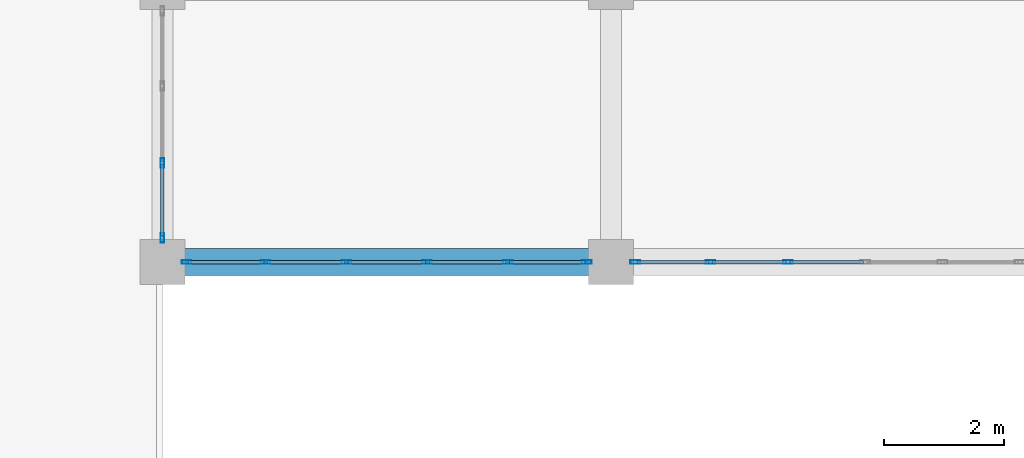
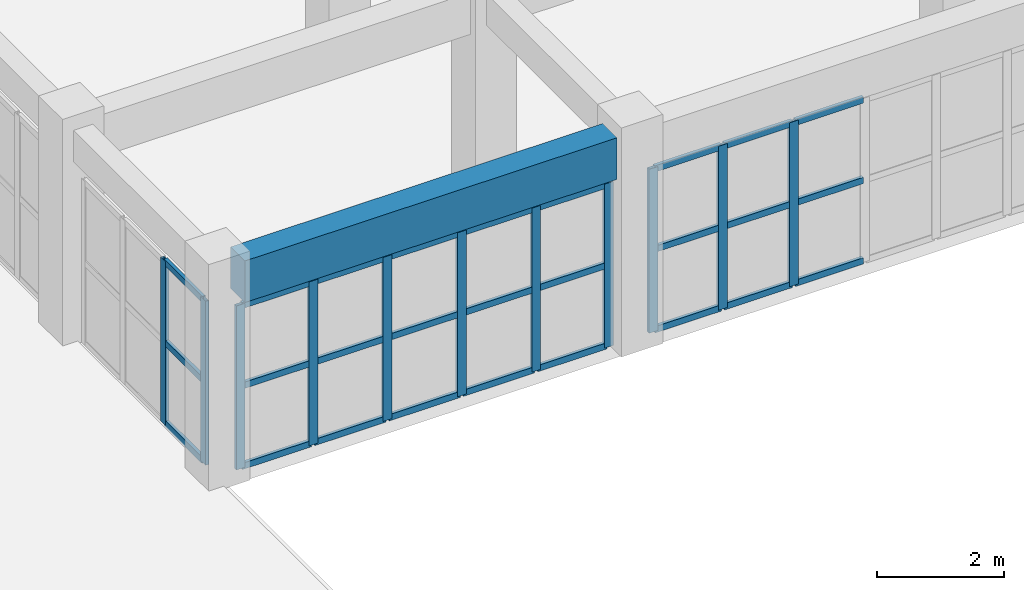
# One storey, part 10 of 90: 38 members, 1 beam, 3 elements without a shape of their own.
"""IFC4 building model written with IfcOpenShell, lengths in metres."""

from ifc_helpers import new_model, si_unit, direction, frame, origin, origin_2d, place, context, subcontext, project, spatial, rectangle, hollow_rectangle, extrude, material, layer, layer_set, material_profile, profile_set, type_object, element, aggregate, save


model = new_model("IFC4")

# Units and contexts
model_context = context("Model", 3, precision=1e-05, world=origin(), true_north=direction((0.0, 1.0)))
body_context = subcontext(model_context, "Body", "Model", "MODEL_VIEW")
ifc_project = project(units=[si_unit("LENGTHUNIT", "METRE"), si_unit("AREAUNIT", "SQUARE_METRE"), si_unit("VOLUMEUNIT", "CUBIC_METRE"), si_unit("PLANEANGLEUNIT", "RADIAN"), si_unit("MASSUNIT", "GRAM", prefix="KILO")], contexts=[model_context])

# Site, building, storey
site_placement = place(None, origin())
site = spatial("IfcSite", under=ifc_project, at=site_placement, CompositionType="ELEMENT")
building_placement = place(site_placement, origin())
building = spatial("IfcBuilding", under=site, at=building_placement, Name="Muzn Square Opera House", CompositionType="ELEMENT")
storey_placement = place(building_placement, frame((0.0, 0.0, 9.800048828125)))
storey = spatial("IfcBuildingStorey", under=building, at=storey_placement, Name="L02", CompositionType="ELEMENT", Elevation=9.800048828125)

# Curtain wall, members
ifc_material_1 = material(Name="Low-E laminated acoustic double glazing", Category="glass")
ifc_layer_1 = layer(ifc_material_1, 0.159912109375, Name="Low-E laminated acoustic double glazing", Category="glass")
ifc_layer_set_1 = layer_set([ifc_layer_1], Name="Low-E laminated acoustic double glazing")
curtain_wall_type_1 = type_object("IfcCurtainWallType", Name="Glazed Curtain Wall WestCloisterN 6750x3150", PredefinedType="USERDEFINED", material=ifc_layer_set_1)
curtain_wall_1_placement = place(storey_placement, origin())
curtain_wall_1 = element("IfcCurtainWall", 1, at=curtain_wall_1_placement, inside=storey, type_object=curtain_wall_type_1, Name="Glazed Curtain Wall CW-L02-094", ObjectType="GLAZED CURTAIN WALL", PredefinedType="USERDEFINED")
ifc_material_2 = material(Name="Anodised bronze aluminium 6063-T6", Category="metal")
ifc_material_profile_1 = material_profile(ifc_material_2, hollow_rectangle(XDim=0.06005859375, YDim=0.159912109375, WallThickness=0.00390625, at=origin_2d()), Name="ALU 160x60x4", Category="metal")
ifc_profile_set_1 = profile_set([ifc_material_profile_1], Name="Anodised bronze aluminium 6063-T6")
member_type_1 = type_object("IfcMemberType", Name="Curtain Wall Mullion 160x60", PredefinedType="MULLION", material=ifc_profile_set_1)
member_1_placement = place(storey_placement, frame((19.405029296875, 54.199951171875, 0.0), z_axis=(0.0, 0.0, 1.0), x_axis=(0.0, 1.0, 0.0)))
member_1 = element("IfcMember", 2, at=member_1_placement, type_object=member_type_1, Name="CW-WCN-67x31 mullion 1", PredefinedType="MULLION", context=body_context, shape_type="SweptSolid", body=[
    extrude(hollow_rectangle(XDim=0.06005859375, YDim=0.159912109375, WallThickness=0.00390625, at=origin_2d()), origin(), (0.0, 0.0, 1.0), 3.14990234375),
])
member_2_placement = place(storey_placement, frame((20.72509765625, 54.199951171875, 0.0), z_axis=(0.0, 0.0, 1.0), x_axis=(0.0, 1.0, 0.0)))
member_2 = element("IfcMember", 3, at=member_2_placement, type_object=member_type_1, Name="CW-WCN-67x31 mullion 2", PredefinedType="MULLION", context=body_context, shape_type="SweptSolid", body=[
    extrude(hollow_rectangle(XDim=0.06005859375, YDim=0.159912109375, WallThickness=0.00390625, at=origin_2d()), origin(), (0.0, 0.0, 1.0), 3.14990234375),
])
member_3_placement = place(storey_placement, frame((22.074951171875, 54.199951171875, 0.0), z_axis=(0.0, 0.0, 1.0), x_axis=(0.0, 1.0, 0.0)))
member_3 = element("IfcMember", 4, at=member_3_placement, type_object=member_type_1, Name="CW-WCN-67x31 mullion 3", PredefinedType="MULLION", context=body_context, shape_type="SweptSolid", body=[
    extrude(hollow_rectangle(XDim=0.06005859375, YDim=0.159912109375, WallThickness=0.00390625, at=origin_2d()), origin(), (0.0, 0.0, 1.0), 3.14990234375),
])
member_4_placement = place(storey_placement, frame((23.425048828125, 54.199951171875, 0.0), z_axis=(0.0, 0.0, 1.0), x_axis=(0.0, 1.0, 0.0)))
member_4 = element("IfcMember", 5, at=member_4_placement, type_object=member_type_1, Name="CW-WCN-67x31 mullion 4", PredefinedType="MULLION", context=body_context, shape_type="SweptSolid", body=[
    extrude(hollow_rectangle(XDim=0.06005859375, YDim=0.159912109375, WallThickness=0.00390625, at=origin_2d()), origin(), (0.0, 0.0, 1.0), 3.14990234375),
])
member_5_placement = place(storey_placement, frame((24.77490234375, 54.199951171875, 0.0), z_axis=(0.0, 0.0, 1.0), x_axis=(0.0, 1.0, 0.0)))
member_5 = element("IfcMember", 6, at=member_5_placement, type_object=member_type_1, Name="CW-WCN-67x31 mullion 5", PredefinedType="MULLION", context=body_context, shape_type="SweptSolid", body=[
    extrude(hollow_rectangle(XDim=0.06005859375, YDim=0.159912109375, WallThickness=0.00390625, at=origin_2d()), origin(), (0.0, 0.0, 1.0), 3.14990234375),
])
member_6_placement = place(storey_placement, frame((26.094970703125, 54.199951171875, 0.0), z_axis=(0.0, 0.0, 1.0), x_axis=(0.0, 1.0, 0.0)))
member_6 = element("IfcMember", 7, at=member_6_placement, type_object=member_type_1, Name="CW-WCN-67x31 mullion 6", PredefinedType="MULLION", context=body_context, shape_type="SweptSolid", body=[
    extrude(hollow_rectangle(XDim=0.06005859375, YDim=0.159912109375, WallThickness=0.00390625, at=origin_2d()), origin(), (0.0, 0.0, 1.0), 3.14990234375),
])

ifc_layer_2 = layer(ifc_material_1, 0.159912109375, Name="Low-E laminated acoustic double glazing", Category="glass")
ifc_layer_set_2 = layer_set([ifc_layer_2], Name="Low-E laminated acoustic double glazing")
curtain_wall_type_2 = type_object("IfcCurtainWallType", Name="Glazed Curtain Wall WestCloisterN 7750x3150", PredefinedType="USERDEFINED", material=ifc_layer_set_2)
curtain_wall_2_placement = place(storey_placement, origin())
curtain_wall_2 = element("IfcCurtainWall", 8, at=curtain_wall_2_placement, inside=storey, type_object=curtain_wall_type_2, Name="Glazed Curtain Wall CW-L02-096", ObjectType="GLAZED CURTAIN WALL", PredefinedType="USERDEFINED")
member_7_placement = place(storey_placement, frame((26.905029296875, 54.199951171875, 0.0), z_axis=(0.0, 0.0, 1.0), x_axis=(0.0, 1.0, 0.0)))
member_7 = element("IfcMember", 9, at=member_7_placement, type_object=member_type_1, Name="CW-WCN-77x31 mullion 1", PredefinedType="MULLION", context=body_context, shape_type="SweptSolid", body=[
    extrude(hollow_rectangle(XDim=0.06005859375, YDim=0.159912109375, WallThickness=0.00390625, at=origin_2d()), origin(), (0.0, 0.0, 1.0), 3.14990234375),
])
member_8_placement = place(storey_placement, frame((28.166748046875, 54.199951171875, 0.0), z_axis=(0.0, 0.0, 1.0), x_axis=(0.0, 1.0, 0.0)))
member_8 = element("IfcMember", 10, at=member_8_placement, type_object=member_type_1, Name="CW-WCN-77x31 mullion 2", PredefinedType="MULLION", context=body_context, shape_type="SweptSolid", body=[
    extrude(hollow_rectangle(XDim=0.06005859375, YDim=0.159912109375, WallThickness=0.00390625, at=origin_2d()), origin(), (0.0, 0.0, 1.0), 3.14990234375),
])
member_9_placement = place(storey_placement, frame((29.458251953125, 54.199951171875, 0.0), z_axis=(0.0, 0.0, 1.0), x_axis=(0.0, 1.0, 0.0)))
member_9 = element("IfcMember", 11, at=member_9_placement, type_object=member_type_1, Name="CW-WCN-77x31 mullion 3", PredefinedType="MULLION", context=body_context, shape_type="SweptSolid", body=[
    extrude(hollow_rectangle(XDim=0.06005859375, YDim=0.159912109375, WallThickness=0.00390625, at=origin_2d()), origin(), (0.0, 0.0, 1.0), 3.14990234375),
])

ifc_layer_3 = layer(ifc_material_1, 0.159912109375, Name="Low-E laminated acoustic double glazing", Category="glass")
ifc_layer_set_3 = layer_set([ifc_layer_3], Name="Low-E laminated acoustic double glazing")
curtain_wall_type_3 = type_object("IfcCurtainWallType", Name="Glazed Curtain Wall WestCourt 3850x3150", PredefinedType="USERDEFINED", material=ifc_layer_set_3)
curtain_wall_3_placement = place(storey_placement, origin())
curtain_wall_3 = element("IfcCurtainWall", 12, at=curtain_wall_3_placement, inside=storey, type_object=curtain_wall_type_3, Name="Glazed Curtain Wall CW-L02-148", ObjectType="GLAZED CURTAIN WALL", PredefinedType="USERDEFINED")
member_10_placement = place(storey_placement, frame((19.0, 54.60498046875, 0.0), z_axis=(0.0, 0.0, 1.0), x_axis=(-1.0, 0.0, 0.0)))
member_10 = element("IfcMember", 13, at=member_10_placement, type_object=member_type_1, Name="CW-WCT-38x31 mullion 1", PredefinedType="MULLION", context=body_context, shape_type="SweptSolid", body=[
    extrude(hollow_rectangle(XDim=0.06005859375, YDim=0.159912109375, WallThickness=0.00390625, at=origin_2d()), origin(), (0.0, 0.0, 1.0), 3.14990234375),
])
member_11_placement = place(storey_placement, frame((19.0, 55.8583984375, 0.0), z_axis=(0.0, 0.0, 1.0), x_axis=(-1.0, 0.0, 0.0)))
member_11 = element("IfcMember", 14, at=member_11_placement, type_object=member_type_1, Name="CW-WCT-38x31 mullion 2", PredefinedType="MULLION", context=body_context, shape_type="SweptSolid", body=[
    extrude(hollow_rectangle(XDim=0.06005859375, YDim=0.159912109375, WallThickness=0.00390625, at=origin_2d()), origin(), (0.0, 0.0, 1.0), 3.14990234375),
])

# Member
ifc_material_profile_2 = material_profile(ifc_material_2, hollow_rectangle(XDim=0.06005859375, YDim=0.1201171875, WallThickness=0.00390625, at=origin_2d()), Name="ALU 120x60x4", Category="metal")
ifc_profile_set_2 = profile_set([ifc_material_profile_2], Name="Anodised bronze aluminium 6063-T6")
member_type_2 = type_object("IfcMemberType", Name="Curtain Wall Transom 120x60", PredefinedType="USERDEFINED", material=ifc_profile_set_2)
member_12_placement = place(storey_placement, frame((19.43505859375, 54.199951171875, 0.030029296875), z_axis=(1.0, 0.0, 0.0), x_axis=(0.0, 1.0, 0.0)))
member_12 = element("IfcMember", 15, at=member_12_placement, type_object=member_type_2, Name="CW-WCN-67x31 transom 1.1", ObjectType="TRANSOM", PredefinedType="USERDEFINED", context=body_context, shape_type="SweptSolid", body=[
    extrude(hollow_rectangle(XDim=0.06005859375, YDim=0.1201171875, WallThickness=0.00390625, at=origin_2d()), origin(), (0.0, 0.0, 1.0), 1.260009765625),
])

member_13_placement = place(storey_placement, frame((19.43505859375, 54.199951171875, 1.574951171875), z_axis=(1.0, 0.0, 0.0), x_axis=(0.0, 1.0, 0.0)))
member_13 = element("IfcMember", 16, at=member_13_placement, type_object=member_type_2, Name="CW-WCN-67x31 transom 1.2", ObjectType="TRANSOM", PredefinedType="USERDEFINED", context=body_context, shape_type="SweptSolid", body=[
    extrude(hollow_rectangle(XDim=0.06005859375, YDim=0.1201171875, WallThickness=0.00390625, at=origin_2d()), origin(), (0.0, 0.0, 1.0), 1.260009765625),
])

member_14_placement = place(storey_placement, frame((19.43505859375, 54.199951171875, 3.119873046875), z_axis=(1.0, 0.0, 0.0), x_axis=(0.0, 1.0, 0.0)))
member_14 = element("IfcMember", 17, at=member_14_placement, type_object=member_type_2, Name="CW-WCN-67x31 transom 1.3", ObjectType="TRANSOM", PredefinedType="USERDEFINED", context=body_context, shape_type="SweptSolid", body=[
    extrude(hollow_rectangle(XDim=0.06005859375, YDim=0.1201171875, WallThickness=0.00390625, at=origin_2d()), origin(), (0.0, 0.0, 1.0), 1.260009765625),
])

member_15_placement = place(storey_placement, frame((20.7548828125, 54.199951171875, 0.030029296875), z_axis=(1.0, 0.0, 0.0), x_axis=(0.0, 1.0, 0.0)))
member_15 = element("IfcMember", 18, at=member_15_placement, type_object=member_type_2, Name="CW-WCN-67x31 transom 2.1", ObjectType="TRANSOM", PredefinedType="USERDEFINED", context=body_context, shape_type="SweptSolid", body=[
    extrude(hollow_rectangle(XDim=0.06005859375, YDim=0.1201171875, WallThickness=0.00390625, at=origin_2d()), origin(), (0.0, 0.0, 1.0), 1.2900390625),
])

member_16_placement = place(storey_placement, frame((20.7548828125, 54.199951171875, 1.574951171875), z_axis=(1.0, 0.0, 0.0), x_axis=(0.0, 1.0, 0.0)))
member_16 = element("IfcMember", 19, at=member_16_placement, type_object=member_type_2, Name="CW-WCN-67x31 transom 2.2", ObjectType="TRANSOM", PredefinedType="USERDEFINED", context=body_context, shape_type="SweptSolid", body=[
    extrude(hollow_rectangle(XDim=0.06005859375, YDim=0.1201171875, WallThickness=0.00390625, at=origin_2d()), origin(), (0.0, 0.0, 1.0), 1.2900390625),
])

member_17_placement = place(storey_placement, frame((20.7548828125, 54.199951171875, 3.119873046875), z_axis=(1.0, 0.0, 0.0), x_axis=(0.0, 1.0, 0.0)))
member_17 = element("IfcMember", 20, at=member_17_placement, type_object=member_type_2, Name="CW-WCN-67x31 transom 2.3", ObjectType="TRANSOM", PredefinedType="USERDEFINED", context=body_context, shape_type="SweptSolid", body=[
    extrude(hollow_rectangle(XDim=0.06005859375, YDim=0.1201171875, WallThickness=0.00390625, at=origin_2d()), origin(), (0.0, 0.0, 1.0), 1.2900390625),
])

member_18_placement = place(storey_placement, frame((22.10498046875, 54.199951171875, 0.030029296875), z_axis=(1.0, 0.0, 0.0), x_axis=(0.0, 1.0, 0.0)))
member_18 = element("IfcMember", 21, at=member_18_placement, type_object=member_type_2, Name="CW-WCN-67x31 transom 3.1", ObjectType="TRANSOM", PredefinedType="USERDEFINED", context=body_context, shape_type="SweptSolid", body=[
    extrude(hollow_rectangle(XDim=0.06005859375, YDim=0.1201171875, WallThickness=0.00390625, at=origin_2d()), origin(), (0.0, 0.0, 1.0), 1.2900390625),
])

member_19_placement = place(storey_placement, frame((22.10498046875, 54.199951171875, 1.574951171875), z_axis=(1.0, 0.0, 0.0), x_axis=(0.0, 1.0, 0.0)))
member_19 = element("IfcMember", 22, at=member_19_placement, type_object=member_type_2, Name="CW-WCN-67x31 transom 3.2", ObjectType="TRANSOM", PredefinedType="USERDEFINED", context=body_context, shape_type="SweptSolid", body=[
    extrude(hollow_rectangle(XDim=0.06005859375, YDim=0.1201171875, WallThickness=0.00390625, at=origin_2d()), origin(), (0.0, 0.0, 1.0), 1.2900390625),
])

member_20_placement = place(storey_placement, frame((22.10498046875, 54.199951171875, 3.119873046875), z_axis=(1.0, 0.0, 0.0), x_axis=(0.0, 1.0, 0.0)))
member_20 = element("IfcMember", 23, at=member_20_placement, type_object=member_type_2, Name="CW-WCN-67x31 transom 3.3", ObjectType="TRANSOM", PredefinedType="USERDEFINED", context=body_context, shape_type="SweptSolid", body=[
    extrude(hollow_rectangle(XDim=0.06005859375, YDim=0.1201171875, WallThickness=0.00390625, at=origin_2d()), origin(), (0.0, 0.0, 1.0), 1.2900390625),
])

member_21_placement = place(storey_placement, frame((23.455078125, 54.199951171875, 0.030029296875), z_axis=(1.0, 0.0, 0.0), x_axis=(0.0, 1.0, 0.0)))
member_21 = element("IfcMember", 24, at=member_21_placement, type_object=member_type_2, Name="CW-WCN-67x31 transom 4.1", ObjectType="TRANSOM", PredefinedType="USERDEFINED", context=body_context, shape_type="SweptSolid", body=[
    extrude(hollow_rectangle(XDim=0.06005859375, YDim=0.1201171875, WallThickness=0.00390625, at=origin_2d()), origin(), (0.0, 0.0, 1.0), 1.2900390625),
])

member_22_placement = place(storey_placement, frame((23.455078125, 54.199951171875, 1.574951171875), z_axis=(1.0, 0.0, 0.0), x_axis=(0.0, 1.0, 0.0)))
member_22 = element("IfcMember", 25, at=member_22_placement, type_object=member_type_2, Name="CW-WCN-67x31 transom 4.2", ObjectType="TRANSOM", PredefinedType="USERDEFINED", context=body_context, shape_type="SweptSolid", body=[
    extrude(hollow_rectangle(XDim=0.06005859375, YDim=0.1201171875, WallThickness=0.00390625, at=origin_2d()), origin(), (0.0, 0.0, 1.0), 1.2900390625),
])

member_23_placement = place(storey_placement, frame((23.455078125, 54.199951171875, 3.119873046875), z_axis=(1.0, 0.0, 0.0), x_axis=(0.0, 1.0, 0.0)))
member_23 = element("IfcMember", 26, at=member_23_placement, type_object=member_type_2, Name="CW-WCN-67x31 transom 4.3", ObjectType="TRANSOM", PredefinedType="USERDEFINED", context=body_context, shape_type="SweptSolid", body=[
    extrude(hollow_rectangle(XDim=0.06005859375, YDim=0.1201171875, WallThickness=0.00390625, at=origin_2d()), origin(), (0.0, 0.0, 1.0), 1.2900390625),
])

member_24_placement = place(storey_placement, frame((24.804931640625, 54.199951171875, 0.030029296875), z_axis=(1.0, 0.0, 0.0), x_axis=(0.0, 1.0, 0.0)))
member_24 = element("IfcMember", 27, at=member_24_placement, type_object=member_type_2, Name="CW-WCN-67x31 transom 5.1", ObjectType="TRANSOM", PredefinedType="USERDEFINED", context=body_context, shape_type="SweptSolid", body=[
    extrude(hollow_rectangle(XDim=0.06005859375, YDim=0.1201171875, WallThickness=0.00390625, at=origin_2d()), origin(), (0.0, 0.0, 1.0), 1.260009765625),
])

member_25_placement = place(storey_placement, frame((24.804931640625, 54.199951171875, 1.574951171875), z_axis=(1.0, 0.0, 0.0), x_axis=(0.0, 1.0, 0.0)))
member_25 = element("IfcMember", 28, at=member_25_placement, type_object=member_type_2, Name="CW-WCN-67x31 transom 5.2", ObjectType="TRANSOM", PredefinedType="USERDEFINED", context=body_context, shape_type="SweptSolid", body=[
    extrude(hollow_rectangle(XDim=0.06005859375, YDim=0.1201171875, WallThickness=0.00390625, at=origin_2d()), origin(), (0.0, 0.0, 1.0), 1.260009765625),
])

member_26_placement = place(storey_placement, frame((24.804931640625, 54.199951171875, 3.119873046875), z_axis=(1.0, 0.0, 0.0), x_axis=(0.0, 1.0, 0.0)))
member_26 = element("IfcMember", 29, at=member_26_placement, type_object=member_type_2, Name="CW-WCN-67x31 transom 5.3", ObjectType="TRANSOM", PredefinedType="USERDEFINED", context=body_context, shape_type="SweptSolid", body=[
    extrude(hollow_rectangle(XDim=0.06005859375, YDim=0.1201171875, WallThickness=0.00390625, at=origin_2d()), origin(), (0.0, 0.0, 1.0), 1.260009765625),
])

aggregate(curtain_wall_1, [member_1, member_2, member_3, member_4, member_5, member_6, member_12, member_13, member_14, member_15, member_16, member_17, member_18, member_19, member_20, member_21, member_22, member_23, member_24, member_25, member_26])

member_27_placement = place(storey_placement, frame((26.93505859375, 54.199951171875, 0.030029296875), z_axis=(1.0, 0.0, 0.0), x_axis=(0.0, 1.0, 0.0)))
member_27 = element("IfcMember", 30, at=member_27_placement, type_object=member_type_2, Name="CW-WCN-77x31 transom 1.1", ObjectType="TRANSOM", PredefinedType="USERDEFINED", context=body_context, shape_type="SweptSolid", body=[
    extrude(hollow_rectangle(XDim=0.06005859375, YDim=0.1201171875, WallThickness=0.00390625, at=origin_2d()), origin(), (0.0, 0.0, 1.0), 1.20166015625),
])

member_28_placement = place(storey_placement, frame((26.93505859375, 54.199951171875, 1.574951171875), z_axis=(1.0, 0.0, 0.0), x_axis=(0.0, 1.0, 0.0)))
member_28 = element("IfcMember", 31, at=member_28_placement, type_object=member_type_2, Name="CW-WCN-77x31 transom 1.2", ObjectType="TRANSOM", PredefinedType="USERDEFINED", context=body_context, shape_type="SweptSolid", body=[
    extrude(hollow_rectangle(XDim=0.06005859375, YDim=0.1201171875, WallThickness=0.00390625, at=origin_2d()), origin(), (0.0, 0.0, 1.0), 1.20166015625),
])

member_29_placement = place(storey_placement, frame((26.93505859375, 54.199951171875, 3.119873046875), z_axis=(1.0, 0.0, 0.0), x_axis=(0.0, 1.0, 0.0)))
member_29 = element("IfcMember", 32, at=member_29_placement, type_object=member_type_2, Name="CW-WCN-77x31 transom 1.3", ObjectType="TRANSOM", PredefinedType="USERDEFINED", context=body_context, shape_type="SweptSolid", body=[
    extrude(hollow_rectangle(XDim=0.06005859375, YDim=0.1201171875, WallThickness=0.00390625, at=origin_2d()), origin(), (0.0, 0.0, 1.0), 1.20166015625),
])

member_30_placement = place(storey_placement, frame((28.19677734375, 54.199951171875, 0.030029296875), z_axis=(1.0, 0.0, 0.0), x_axis=(0.0, 1.0, 0.0)))
member_30 = element("IfcMember", 33, at=member_30_placement, type_object=member_type_2, Name="CW-WCN-77x31 transom 2.1", ObjectType="TRANSOM", PredefinedType="USERDEFINED", context=body_context, shape_type="SweptSolid", body=[
    extrude(hollow_rectangle(XDim=0.06005859375, YDim=0.1201171875, WallThickness=0.00390625, at=origin_2d()), origin(), (0.0, 0.0, 1.0), 1.2314453125),
])

member_31_placement = place(storey_placement, frame((28.19677734375, 54.199951171875, 1.574951171875), z_axis=(1.0, 0.0, 0.0), x_axis=(0.0, 1.0, 0.0)))
member_31 = element("IfcMember", 34, at=member_31_placement, type_object=member_type_2, Name="CW-WCN-77x31 transom 2.2", ObjectType="TRANSOM", PredefinedType="USERDEFINED", context=body_context, shape_type="SweptSolid", body=[
    extrude(hollow_rectangle(XDim=0.06005859375, YDim=0.1201171875, WallThickness=0.00390625, at=origin_2d()), origin(), (0.0, 0.0, 1.0), 1.2314453125),
])

member_32_placement = place(storey_placement, frame((28.19677734375, 54.199951171875, 3.119873046875), z_axis=(1.0, 0.0, 0.0), x_axis=(0.0, 1.0, 0.0)))
member_32 = element("IfcMember", 35, at=member_32_placement, type_object=member_type_2, Name="CW-WCN-77x31 transom 2.3", ObjectType="TRANSOM", PredefinedType="USERDEFINED", context=body_context, shape_type="SweptSolid", body=[
    extrude(hollow_rectangle(XDim=0.06005859375, YDim=0.1201171875, WallThickness=0.00390625, at=origin_2d()), origin(), (0.0, 0.0, 1.0), 1.2314453125),
])

member_33_placement = place(storey_placement, frame((29.48828125, 54.199951171875, 0.030029296875), z_axis=(1.0, 0.0, 0.0), x_axis=(0.0, 1.0, 0.0)))
member_33 = element("IfcMember", 36, at=member_33_placement, type_object=member_type_2, Name="CW-WCN-77x31 transom 3.1", ObjectType="TRANSOM", PredefinedType="USERDEFINED", context=body_context, shape_type="SweptSolid", body=[
    extrude(hollow_rectangle(XDim=0.06005859375, YDim=0.1201171875, WallThickness=0.00390625, at=origin_2d()), origin(), (0.0, 0.0, 1.0), 1.231689453125),
])

member_34_placement = place(storey_placement, frame((29.48828125, 54.199951171875, 1.574951171875), z_axis=(1.0, 0.0, 0.0), x_axis=(0.0, 1.0, 0.0)))
member_34 = element("IfcMember", 37, at=member_34_placement, type_object=member_type_2, Name="CW-WCN-77x31 transom 3.2", ObjectType="TRANSOM", PredefinedType="USERDEFINED", context=body_context, shape_type="SweptSolid", body=[
    extrude(hollow_rectangle(XDim=0.06005859375, YDim=0.1201171875, WallThickness=0.00390625, at=origin_2d()), origin(), (0.0, 0.0, 1.0), 1.231689453125),
])

member_35_placement = place(storey_placement, frame((29.48828125, 54.199951171875, 3.119873046875), z_axis=(1.0, 0.0, 0.0), x_axis=(0.0, 1.0, 0.0)))
member_35 = element("IfcMember", 38, at=member_35_placement, type_object=member_type_2, Name="CW-WCN-77x31 transom 3.3", ObjectType="TRANSOM", PredefinedType="USERDEFINED", context=body_context, shape_type="SweptSolid", body=[
    extrude(hollow_rectangle(XDim=0.06005859375, YDim=0.1201171875, WallThickness=0.00390625, at=origin_2d()), origin(), (0.0, 0.0, 1.0), 1.231689453125),
])

aggregate(curtain_wall_2, [member_7, member_8, member_9, member_27, member_28, member_29, member_30, member_31, member_32, member_33, member_34, member_35])

member_36_placement = place(storey_placement, frame((19.0, 54.635009765625, 0.030029296875), z_axis=(0.0, 1.0, 0.0), x_axis=(-1.0, 0.0, 0.0)))
member_36 = element("IfcMember", 39, at=member_36_placement, type_object=member_type_2, Name="CW-WCT-38x31 transom 1.1", ObjectType="TRANSOM", PredefinedType="USERDEFINED", context=body_context, shape_type="SweptSolid", body=[
    extrude(hollow_rectangle(XDim=0.06005859375, YDim=0.1201171875, WallThickness=0.00390625, at=origin_2d()), origin(), (0.0, 0.0, 1.0), 1.193359375),
])

member_37_placement = place(storey_placement, frame((19.0, 54.635009765625, 1.574951171875), z_axis=(0.0, 1.0, 0.0), x_axis=(-1.0, 0.0, 0.0)))
member_37 = element("IfcMember", 40, at=member_37_placement, type_object=member_type_2, Name="CW-WCT-38x31 transom 1.2", ObjectType="TRANSOM", PredefinedType="USERDEFINED", context=body_context, shape_type="SweptSolid", body=[
    extrude(hollow_rectangle(XDim=0.06005859375, YDim=0.1201171875, WallThickness=0.00390625, at=origin_2d()), origin(), (0.0, 0.0, 1.0), 1.193359375),
])

member_38_placement = place(storey_placement, frame((19.0, 54.635009765625, 3.119873046875), z_axis=(0.0, 1.0, 0.0), x_axis=(-1.0, 0.0, 0.0)))
member_38 = element("IfcMember", 41, at=member_38_placement, type_object=member_type_2, Name="CW-WCT-38x31 transom 1.3", ObjectType="TRANSOM", PredefinedType="USERDEFINED", context=body_context, shape_type="SweptSolid", body=[
    extrude(hollow_rectangle(XDim=0.06005859375, YDim=0.1201171875, WallThickness=0.00390625, at=origin_2d()), origin(), (0.0, 0.0, 1.0), 1.193359375),
])

aggregate(curtain_wall_3, [member_10, member_11, member_36, member_37, member_38])

# Beam
ifc_material_3 = material(Name="Concrete C40/50", Category="concrete")
ifc_material_profile_3 = material_profile(ifc_material_3, rectangle(XDim=0.449951171875, YDim=0.800048828125, at=origin_2d()), Name="RCB 450x800", Category="concrete")
ifc_profile_set_3 = profile_set([ifc_material_profile_3], Name="Concrete C40/50")
beam_type = type_object("IfcBeamType", Name="Primary Girder 450x800", PredefinedType="BEAM", material=ifc_profile_set_3)
beam_placement = place(storey_placement, frame((19.366943359375, 54.199951171875, 3.719970703125), z_axis=(1.0, 0.0, 0.0), x_axis=(0.0, 1.0, 0.0)))
element("IfcBeam", 42, at=beam_placement, inside=storey, type_object=beam_type, Name="Primary Girder BM-L02-BM-PG800-194_542_261_542-2009", PredefinedType="BEAM", context=body_context, shape_type="SweptSolid", body=[
    extrude(rectangle(XDim=0.449951171875, YDim=0.800048828125, at=origin_2d()), origin(), (0.0, 0.0, 1.0), 6.76611328125),
])

save(model, "model.ifc")
